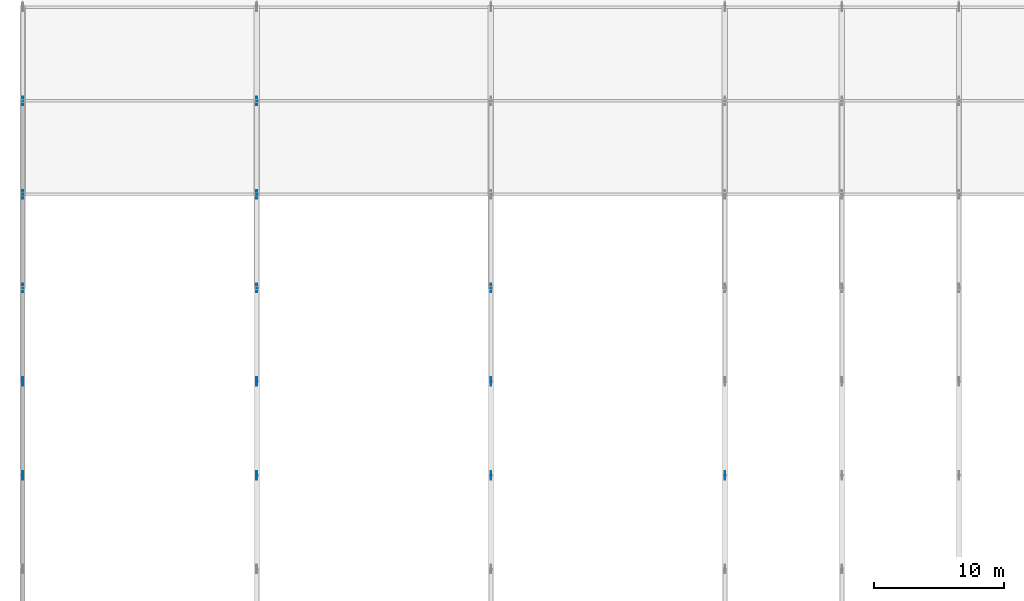
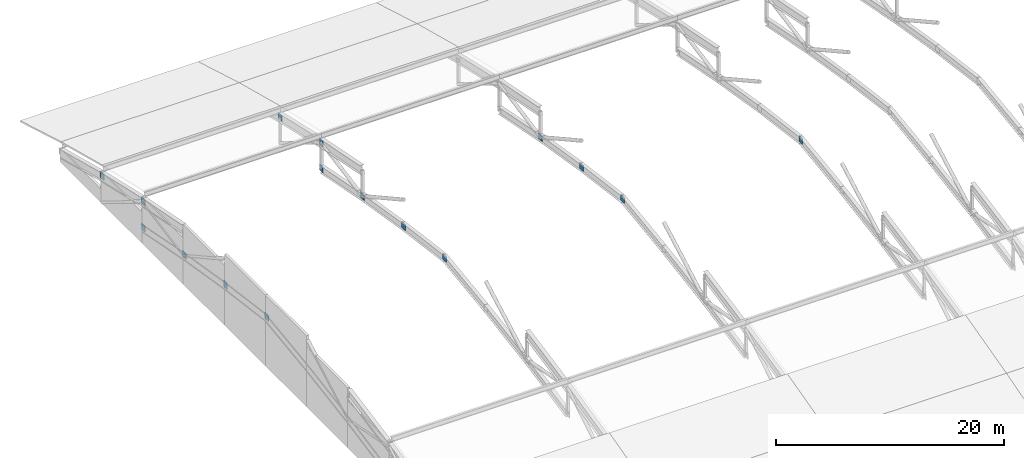
# One storey, part 84 of 124: 16 plates.
"""IFC4 building model written with IfcOpenShell, lengths in metres."""

from ifc_helpers import new_model, si_unit, direction, frame, origin, origin_2d, place, context, subcontext, project, spatial, rectangle, extrude, material, layer, layer_set, type_object, element, save


model = new_model("IFC4")

# Units and contexts
model_context = context("Model", 3, precision=1e-05, world=origin(), true_north=direction((0.0, 1.0)))
body_context = subcontext(model_context, "Body", "Model", "MODEL_VIEW")
ifc_project = project(units=[si_unit("LENGTHUNIT", "METRE"), si_unit("AREAUNIT", "SQUARE_METRE"), si_unit("VOLUMEUNIT", "CUBIC_METRE"), si_unit("PLANEANGLEUNIT", "RADIAN"), si_unit("MASSUNIT", "GRAM", prefix="KILO")], contexts=[model_context])

# Site, building, storey
site_placement = place(None, origin())
site = spatial("IfcSite", under=ifc_project, at=site_placement, CompositionType="ELEMENT")
building_placement = place(site_placement, origin())
building = spatial("IfcBuilding", under=site, at=building_placement, Name="Celestram Park Convention Centre", CompositionType="ELEMENT")
storey_placement = place(building_placement, frame((0.0, 0.0, 15.300048828125)))
storey = spatial("IfcBuildingStorey", under=building, at=storey_placement, Name="L03", CompositionType="ELEMENT", Elevation=15.300048828125)

# Plates
ifc_material = material(Name="Steel ASTM A572 Grade 50", Category="steel")
ifc_layer = layer(ifc_material, 0.050048828125)
ifc_layer_set = layer_set([ifc_layer], Name="Steel ASTM A572 Grade 50")
plate_type = type_object("IfcPlateType", Name="STR-PLT-GP50", PredefinedType="USERDEFINED", material=ifc_layer_set)
for number, where, z_axis, x_axis, name in (
    (1, (0.0, 64.800048828125, 4.00341796875), (0.0, 0.0, 1.0), (0.0, 1.0, 0.0), "V1 truss node gusset plate"),
    (2, (0.0, 72.0, 3.045166015625), (0.0, 0.0, 1.0), (0.0, 1.0, 0.0), "V1 truss node gusset plate"),
    (3, (0.0, 79.199951171875, 1.856689453125), (0.0, 0.0, 1.0), (0.0, 1.0, 0.0), "V1 truss node gusset plate"),
    (4, (0.0, 86.39990234375, 3.238525390625), (0.0, 0.0, 1.0), (0.0, 1.0, 0.0), "V1 truss node gusset plate"),
    (5, (0.0, 86.39990234375, 0.4384765625), (0.0, 0.0, 1.0), (0.0, 1.0, 0.0), "V1 truss node gusset plate"),
    (6, (0.0, 93.60009765625, 1.590087890625), (0.0, 0.0, 1.0), (0.0, 1.0, 0.0), "V1 truss node gusset plate"),
    (7, (18.0, 64.800048828125, 4.00341796875), (0.0, 0.0, 1.0), (0.0, 1.0, 0.0), "V1 truss node gusset plate"),
    (8, (18.0, 72.0, 3.045166015625), (0.0, 0.0, 1.0), (0.0, 1.0, 0.0), "V1 truss node gusset plate"),
    (9, (18.0, 79.199951171875, 1.856689453125), (0.0, 0.0, 1.0), (0.0, 1.0, 0.0), "V1 truss node gusset plate"),
    (10, (18.0, 86.39990234375, 3.238525390625), (0.0, 0.0, 1.0), (0.0, 1.0, 0.0), "V1 truss node gusset plate"),
    (11, (18.0, 86.39990234375, 0.4384765625), (0.0, 0.0, 1.0), (0.0, 1.0, 0.0), "V1 truss node gusset plate"),
    (12, (18.0, 93.60009765625, 1.590087890625), (0.0, 0.0, 1.0), (0.0, 1.0, 0.0), "V1 truss node gusset plate"),
    (13, (36.0, 64.800048828125, 4.00341796875), (0.0, 0.0, 1.0), (0.0, 1.0, 0.0), "V1 truss node gusset plate"),
    (14, (36.0, 72.0, 3.045166015625), (0.0, 0.0, 1.0), (0.0, 1.0, 0.0), "V1 truss node gusset plate"),
    (15, (36.0, 79.199951171875, 1.856689453125), (0.0, 0.0, 1.0), (0.0, 1.0, 0.0), "V1 truss node gusset plate"),
    (16, (54.0, 64.800048828125, 4.00341796875), (0.0, 0.0, 1.0), (0.0, 1.0, 0.0), "V1 truss node gusset plate"),
):
    element("IfcPlate", number, at=place(storey_placement, frame(where, z_axis=z_axis, x_axis=x_axis)), inside=storey, type_object=plate_type, Name=name, ObjectType="GUSSET_PLATE", PredefinedType="USERDEFINED", context=body_context, shape_type="SweptSolid", body=[
        extrude(rectangle(XDim=0.64990234375, YDim=0.050048828125, at=origin_2d()), origin(), (0.0, 0.0, 1.0), 0.64990234375),
    ])

save(model, "model.ifc")
